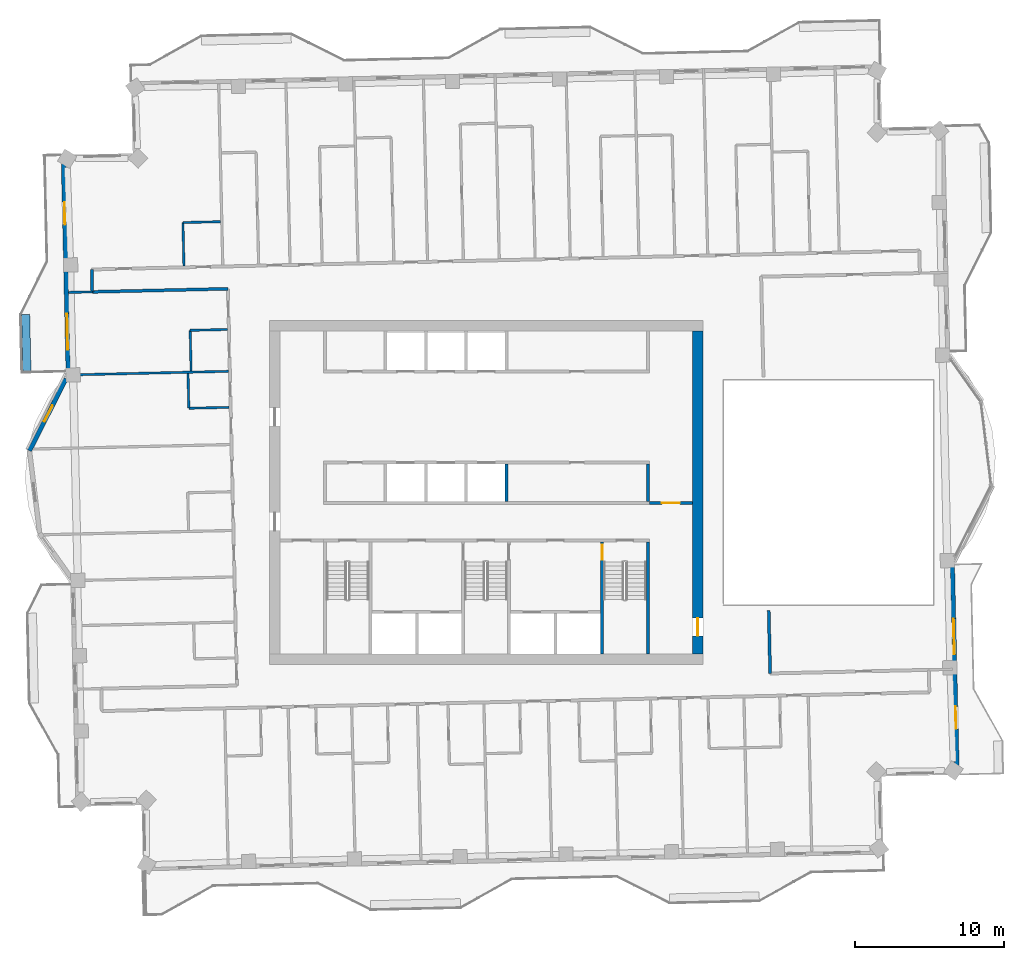
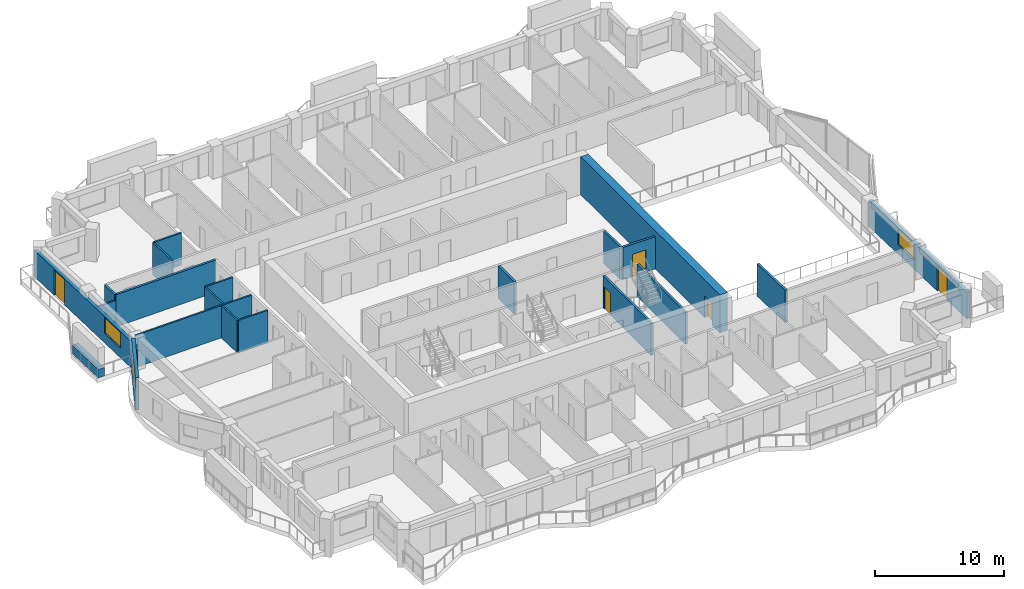
# One storey, part 12 of 20: 21 walls, 5 doors, 3 windows, 8 openings.
"""IFC4 building model written with IfcOpenShell, lengths in metres."""

from ifc_helpers import new_model, si_unit, direction, frame, frame_2d, origin, place, context, subcontext, project, spatial, rectangle, extrude, material, layer, layer_set, type_object, element, fill, save


model = new_model("IFC4")

# Units and contexts
model_context = context("Model", 3, precision=1e-05, world=origin(), true_north=direction((0.0, 1.0)))
body_context = subcontext(model_context, "Body", "Model", "MODEL_VIEW")
ifc_project = project(units=[si_unit("LENGTHUNIT", "METRE"), si_unit("AREAUNIT", "SQUARE_METRE"), si_unit("VOLUMEUNIT", "CUBIC_METRE"), si_unit("PLANEANGLEUNIT", "RADIAN"), si_unit("MASSUNIT", "GRAM", prefix="KILO")], contexts=[model_context])

# Site, building, storey
site_placement = place(None, origin())
site = spatial("IfcSite", under=ifc_project, at=site_placement, CompositionType="ELEMENT")
building_placement = place(site_placement, origin())
building = spatial("IfcBuilding", under=site, at=building_placement, Name="Mangrove Gate Tower", CompositionType="ELEMENT")
storey_placement = place(building_placement, frame((0.0, 0.0, 279.89990234375)))
storey = spatial("IfcBuildingStorey", under=building, at=storey_placement, Name="L71", CompositionType="ELEMENT", Elevation=279.89990234375)

# Wall, opening, door
ifc_material_1 = material(Name="Concrete C32/40", Category="concrete")
ifc_layer_1 = layer(ifc_material_1, 0.199951171875)
ifc_layer_set_1 = layer_set([ifc_layer_1], Name="Core lobby wall 200 C32/40")
wall_type_1 = type_object("IfcWallType", Name="Core lobby wall 200 C32/40", PredefinedType="STANDARD", material=ifc_layer_set_1)
wall_1_placement = place(storey_placement, frame((10.89990234375, -0.699951171875, 0.0), z_axis=(0.0, 0.0, 1.0), x_axis=(1.0, 0.0, 0.0)))
wall_1 = element("IfcWall", 1, at=wall_1_placement, inside=storey, type_object=wall_type_1, Name="WALL-L71-CORE-32", PredefinedType="STANDARD", context=body_context, shape_type="SweptSolid", body=[
    extrude(rectangle(XDim=2.900146484375, YDim=0.199951171875, at=frame_2d((1.4501953125, 0.0))), origin(), (0.0, 0.0, 1.0), 3.050048828125),
])
opening_1_placement = place(wall_1_placement, frame((0.85009765625, 0.0, 0.0)))
opening_1 = element("IfcOpeningElement", 2, at=opening_1_placement, cuts=wall_1, Name="Opening FL12", PredefinedType="OPENING", context=body_context, shape_type="SweptSolid", body=[
    extrude(rectangle(XDim=1.199951171875, YDim=2.10009765625, at=frame_2d((0.60009765625, 1.050048828125))), frame((0.0, 0.10986328125, 0.0), z_axis=(0.0, -1.0, 0.0), x_axis=(1.0, 0.0, 0.0)), (0.0, 0.0, 1.0), 0.219970703125),
])
ifc_material_2 = material(Name="Fire-rated steel door set", Category="steel")
door_type_1 = type_object("IfcDoorType", Name="Lobby door FD60 1200x2100", OperationType="SINGLE_SWING_LEFT", PredefinedType="DOOR", material=ifc_material_2)
door_1_placement = place(opening_1_placement, origin())
door_1 = element("IfcDoor", 3, at=door_1_placement, inside=storey, type_object=door_type_1, Name="Lobby door core corridor E partition", OperationType="SINGLE_SWING_LEFT", OverallHeight=2.10009765625, OverallWidth=1.199951171875, PredefinedType="DOOR", context=body_context, shape_type="SweptSolid", body=[
    extrude(rectangle(XDim=1.199951171875, YDim=2.10009765625, at=frame_2d((0.60009765625, 1.050048828125))), frame((0.0, 0.02490234375, 0.0), z_axis=(0.0, -1.0, 0.0), x_axis=(1.0, 0.0, 0.0)), (0.0, 0.0, 1.0), 0.050048828125),
])
fill(opening_1, door_1)

# Walls
ifc_material_3 = material(Name="Concrete C32/40", Category="concrete")
ifc_layer_2 = layer(ifc_material_3, 0.199951171875)
ifc_layer_set_2 = layer_set([ifc_layer_2], Name="Core room wall 200 C32/40")
wall_type_2 = type_object("IfcWallType", Name="Core room wall 200 C32/40", PredefinedType="STANDARD", material=ifc_layer_set_2)
wall_2_placement = place(storey_placement, frame((10.800048828125, -0.60009765625, 0.0), z_axis=(0.0, 0.0, 1.0), x_axis=(0.0, 1.0, 0.0)))
element("IfcWall", 4, at=wall_2_placement, inside=storey, type_object=wall_type_2, Name="WALL-L71-CORE-24", PredefinedType="STANDARD", context=body_context, shape_type="SweptSolid", body=[
    extrude(rectangle(XDim=2.5, YDim=0.199951171875, at=frame_2d((1.25, 0.0))), origin(), (0.0, 0.0, 1.0), 3.050048828125),
])
ifc_material_4 = material(Name="Concrete C50/60", Category="concrete")
ifc_layer_3 = layer(ifc_material_4, 0.199951171875)
ifc_layer_set_3 = layer_set([ifc_layer_3], Name="Core shaft wall 200 C50/60")
wall_type_3 = type_object("IfcWallType", Name="Core shaft wall 200 C50/60", PredefinedType="SHEAR", material=ifc_layer_set_3)
wall_3_placement = place(storey_placement, frame((1.35009765625, -0.60009765625, 0.0), z_axis=(0.0, 0.0, 1.0), x_axis=(0.0, 1.0, 0.0)))
element("IfcWall", 5, at=wall_3_placement, inside=storey, type_object=wall_type_3, Name="WALL-L71-CORE-23", PredefinedType="SHEAR", context=body_context, shape_type="SweptSolid", body=[
    extrude(rectangle(XDim=2.5, YDim=0.199951171875, at=frame_2d((1.25, 0.0))), origin(), (0.0, 0.0, 1.0), 3.050048828125),
])

# Wall, opening, door
ifc_material_5 = material(Name="Concrete C50/60", Category="concrete")
ifc_layer_4 = layer(ifc_material_5, 0.199951171875)
ifc_layer_set_4 = layer_set([ifc_layer_4], Name="Core stair wall 200 C50/60")
wall_type_4 = type_object("IfcWallType", Name="Core stair wall 200 C50/60", PredefinedType="SHEAR", material=ifc_layer_set_4)
wall_4_placement = place(storey_placement, frame((7.75, -10.800048828125, 0.0), z_axis=(0.0, 0.0, 1.0), x_axis=(0.0, 1.0, 0.0)))
wall_4 = element("IfcWall", 6, at=wall_4_placement, inside=storey, type_object=wall_type_4, Name="WALL-L71-CORE-13", PredefinedType="SHEAR", context=body_context, shape_type="SweptSolid", body=[
    extrude(rectangle(XDim=7.5, YDim=0.199951171875, at=frame_2d((3.75, 0.0))), origin(), (0.0, 0.0, 1.0), 3.050048828125),
])
opening_2_placement = place(wall_4_placement, frame((6.300048828125, 0.0, 0.0)))
opening_2 = element("IfcOpeningElement", 7, at=opening_2_placement, cuts=wall_4, Name="Opening STD10", PredefinedType="OPENING", context=body_context, shape_type="SweptSolid", body=[
    extrude(rectangle(XDim=1.0, YDim=2.10009765625, at=frame_2d((0.5, 1.050048828125))), frame((0.0, 0.10986328125, 0.0), z_axis=(0.0, -1.0, 0.0), x_axis=(1.0, 0.0, 0.0)), (0.0, 0.0, 1.0), 0.219970703125),
])
ifc_material_6 = material(Name="Fire-rated steel door set", Category="steel")
door_type_2 = type_object("IfcDoorType", Name="Stair door FD60 1000x2100", OperationType="SINGLE_SWING_RIGHT", PredefinedType="DOOR", material=ifc_material_6)
door_2_placement = place(opening_2_placement, origin())
door_2 = element("IfcDoor", 8, at=door_2_placement, inside=storey, type_object=door_type_2, Name="Stair door Stair 3 from fire-fighting lobby", OperationType="SINGLE_SWING_RIGHT", OverallHeight=2.10009765625, OverallWidth=1.0, PredefinedType="DOOR", context=body_context, shape_type="SweptSolid", body=[
    extrude(rectangle(XDim=1.0, YDim=2.10009765625, at=frame_2d((0.5, 1.050048828125))), frame((0.0, 0.02490234375, 0.0), z_axis=(0.0, -1.0, 0.0), x_axis=(1.0, 0.0, 0.0)), (0.0, 0.0, 1.0), 0.050048828125),
])
fill(opening_2, door_2)

# Wall
wall_5_placement = place(storey_placement, frame((10.800048828125, -10.800048828125, 0.0), z_axis=(0.0, 0.0, 1.0), x_axis=(0.0, 1.0, 0.0)))
element("IfcWall", 9, at=wall_5_placement, inside=storey, type_object=wall_type_4, Name="WALL-L71-CORE-14", PredefinedType="SHEAR", context=body_context, shape_type="SweptSolid", body=[
    extrude(rectangle(XDim=7.5, YDim=0.199951171875, at=frame_2d((3.75, 0.0))), origin(), (0.0, 0.0, 1.0), 3.050048828125),
])

# Wall, opening, door
ifc_material_7 = material(Name="Concrete C50/60", Category="concrete")
ifc_layer_5 = layer(ifc_material_7, 0.699951171875)
ifc_layer_set_5 = layer_set([ifc_layer_5], Name="Core wall 700 C50/60")
wall_type_5 = type_object("IfcWallType", Name="Core wall 700 C50/60", PredefinedType="SHEAR", material=ifc_layer_set_5)
wall_6_placement = place(storey_placement, frame((14.14990234375, -10.800048828125, 0.0), z_axis=(0.0, 0.0, 1.0), x_axis=(0.0, 1.0, 0.0)))
wall_6 = element("IfcWall", 10, at=wall_6_placement, inside=storey, type_object=wall_type_5, Name="WALL-L71-CORE-4", PredefinedType="SHEAR", context=body_context, shape_type="SweptSolid", body=[
    extrude(rectangle(XDim=21.60009765625, YDim=0.699951171875, at=frame_2d((10.800048828125, 0.0))), origin(), (0.0, 0.0, 1.0), 3.60009765625),
])
opening_3_placement = place(wall_6_placement, frame((1.199951171875, 0.0, 0.0)))
opening_3 = element("IfcOpeningElement", 11, at=opening_3_placement, cuts=wall_6, Name="Opening CD", PredefinedType="OPENING", context=body_context, shape_type="SweptSolid", body=[
    extrude(rectangle(XDim=1.199951171875, YDim=2.10009765625, at=frame_2d((0.60009765625, 1.050048828125))), frame((0.0, 0.35986328125, 0.0), z_axis=(0.0, -1.0, 0.0), x_axis=(1.0, 0.0, 0.0)), (0.0, 0.0, 1.0), 0.719970703125),
])
ifc_material_8 = material(Name="Fire-rated steel door set", Category="steel")
door_type_3 = type_object("IfcDoorType", Name="Core ring door FD60 1200x2100", OperationType="DOUBLE_DOOR_SINGLE_SWING", PredefinedType="DOOR", material=ifc_material_8)
door_3_placement = place(opening_3_placement, origin())
door_3 = element("IfcDoor", 12, at=door_3_placement, inside=storey, type_object=door_type_3, Name="Core ring door E1", OperationType="DOUBLE_DOOR_SINGLE_SWING", OverallHeight=2.10009765625, OverallWidth=1.199951171875, PredefinedType="DOOR", context=body_context, shape_type="SweptSolid", body=[
    extrude(rectangle(XDim=1.199951171875, YDim=2.10009765625, at=frame_2d((0.60009765625, 1.050048828125))), frame((0.0, 0.02490234375, 0.0), z_axis=(0.0, -1.0, 0.0), x_axis=(1.0, 0.0, 0.0)), (0.0, 0.0, 1.0), 0.050048828125),
])
fill(opening_3, door_3)

# Walls
ifc_material_9 = material(Name="Gypsum board on steel stud, EI 60", Category="steel")
ifc_layer_6 = layer(ifc_material_9, 0.199951171875)
ifc_layer_set_6 = layer_set([ifc_layer_6], Name="Corridor wall EI 60")
wall_type_6 = type_object("IfcWallType", Name="Corridor wall EI 60", PredefinedType="PARTITIONING", material=ifc_layer_set_6)
wall_7_placement = place(storey_placement, frame((18.987060546875, -12.10888671875, 0.0), z_axis=(0.0, 0.0, 1.0), x_axis=(-0.022807092041, 0.999739884446, 0.0)))
element("IfcWall", 13, at=wall_7_placement, inside=storey, type_object=wall_type_6, Name="WALL-L71-035", PredefinedType="PARTITIONING", context=body_context, shape_type="SweptSolid", body=[
    extrude(rectangle(XDim=4.206787109375, YDim=0.199951171875, at=frame_2d((2.103515625, 0.0))), origin(), (0.0, 0.0, 1.0), 3.050048828125),
])
wall_8_placement = place(storey_placement, frame((-26.366943359375, 13.4189453125, 0.0), z_axis=(0.0, 0.0, 1.0), x_axis=(0.999742888587, 0.022675024131, 0.0)))
element("IfcWall", 14, at=wall_8_placement, inside=storey, type_object=wall_type_6, Name="WALL-L71-052", PredefinedType="PARTITIONING", context=body_context, shape_type="SweptSolid", body=[
    extrude(rectangle(XDim=9.08740234375, YDim=0.199951171875, at=frame_2d((4.543701171875, 0.0))), origin(), (0.0, 0.0, 1.0), 3.050048828125),
])
wall_9_placement = place(storey_placement, frame((-26.364013671875, 13.4189453125, 0.0), z_axis=(0.0, 0.0, 1.0), x_axis=(-0.022632637625, 0.99974384905, 0.0)))
element("IfcWall", 15, at=wall_9_placement, inside=storey, type_object=wall_type_6, Name="WALL-L71-053", PredefinedType="PARTITIONING", context=body_context, shape_type="SweptSolid", body=[
    extrude(rectangle(XDim=1.49951171875, YDim=0.199951171875, at=frame_2d((0.749755859375, 0.0))), origin(), (0.0, 0.0, 1.0), 3.050048828125),
])

# Wall, openings, door, window
ifc_material_10 = material(Name="Limestone", Category="masonry")
ifc_layer_7 = layer(ifc_material_10, 0.0400390625, Name="Limestone cladding")
ifc_material_11 = material(Name="Ventilated air gap")
ifc_layer_8 = layer(ifc_material_11, 0.0400390625, Name="Ventilated cavity")
ifc_material_12 = material(Name="Mineral wool insulation")
ifc_layer_9 = layer(ifc_material_12, 0.06005859375, Name="Insulation")
ifc_material_13 = material(Name="Breather membrane")
ifc_layer_10 = layer(ifc_material_13, 0.001953125, Name="Breather membrane")
ifc_material_14 = material(Name="Concrete C20/25 blockwork", Category="masonry")
ifc_layer_11 = layer(ifc_material_14, 0.14990234375, Name="Blockwork backing wall")
ifc_material_15 = material(Name="Gypsum plaster")
ifc_layer_12 = layer(ifc_material_15, 0.008056640625, Name="Internal plaster")
ifc_layer_set_7 = layer_set([ifc_layer_7, ifc_layer_8, ifc_layer_9, ifc_layer_10, ifc_layer_11, ifc_layer_12], Name="External wall 300 limestone cladding")
wall_type_7 = type_object("IfcWallType", Name="External wall 300 limestone cladding", PredefinedType="SOLIDWALL", material=ifc_layer_set_7)
wall_10_placement = place(storey_placement, frame((31.488037109375, -18.72705078125, 0.0), z_axis=(0.0, 0.0, 1.0), x_axis=(-0.022666132143, 0.999743090226, 0.0)))
wall_10 = element("IfcWall", 16, at=wall_10_placement, inside=storey, type_object=wall_type_7, Name="WALL-L71-E0s1", PredefinedType="SOLIDWALL", context=body_context, shape_type="SweptSolid", body=[
    extrude(rectangle(XDim=14.648681640625, YDim=0.300048828125, at=frame_2d((7.32421875, 0.0))), origin(), (0.0, 0.0, 1.0), 2.5),
])
opening_4_placement = place(wall_10_placement, frame((2.9150390625, 0.0, 0.0)))
opening_4 = element("IfcOpeningElement", 17, at=opening_4_placement, cuts=wall_10, Name="Opening BD1", PredefinedType="OPENING", context=body_context, shape_type="SweptSolid", body=[
    extrude(rectangle(XDim=1.5, YDim=2.39990234375, at=frame_2d((0.75, 1.199951171875))), frame((0.0, 0.159912109375, 0.0), z_axis=(0.0, -1.0, 0.0), x_axis=(1.0, 0.0, 0.0)), (0.0, 0.0, 1.0), 0.320068359375),
])
opening_5_placement = place(wall_10_placement, frame((7.89501953125, 0.0, 0.89990234375)))
opening_5 = element("IfcOpeningElement", 18, at=opening_5_placement, cuts=wall_10, Name="Opening W2", PredefinedType="OPENING", context=body_context, shape_type="SweptSolid", body=[
    extrude(rectangle(XDim=2.39990234375, YDim=1.5, at=frame_2d((1.199951171875, 0.75))), frame((0.0, 0.159912109375, 0.0), z_axis=(0.0, -1.0, 0.0), x_axis=(1.0, 0.0, 0.0)), (0.0, 0.0, 1.0), 0.320068359375),
])
ifc_material_16 = material(Name="Aluminium frame with laminated clear glass", Category="aluminium")
door_type_4 = type_object("IfcDoorType", Name="Balcony sliding door 1500x2400", OperationType="SLIDING_TO_LEFT", PredefinedType="DOOR", material=ifc_material_16)
door_4_placement = place(opening_4_placement, origin())
door_4 = element("IfcDoor", 19, at=door_4_placement, inside=storey, type_object=door_type_4, Name="DOOR-L71-E0-1", OperationType="SLIDING_TO_LEFT", OverallHeight=2.39990234375, OverallWidth=1.5, PredefinedType="DOOR", context=body_context, shape_type="SweptSolid", body=[
    extrude(rectangle(XDim=1.5, YDim=2.39990234375, at=frame_2d((0.75, 1.199951171875))), frame((0.0, 0.02490234375, 0.0), z_axis=(0.0, -1.0, 0.0), x_axis=(1.0, 0.0, 0.0)), (0.0, 0.0, 1.0), 0.050048828125),
])
fill(opening_4, door_4)
ifc_material_17 = material(Name="Aluminium frame with double-glazed low-e glass", Category="aluminium")
window_type_1 = type_object("IfcWindowType", Name="Corner room window 2400x1500", PartitioningType="DOUBLE_PANEL_VERTICAL", PredefinedType="WINDOW", material=ifc_material_17)
window_1_placement = place(opening_5_placement, origin())
window_1 = element("IfcWindow", 20, at=window_1_placement, inside=storey, type_object=window_type_1, Name="WIN-L71-E0-2", OverallHeight=1.5, OverallWidth=2.39990234375, PartitioningType="DOUBLE_PANEL_VERTICAL", PredefinedType="WINDOW", context=body_context, shape_type="SweptSolid", body=[
    extrude(rectangle(XDim=2.39990234375, YDim=1.5, at=frame_2d((1.199951171875, 0.75))), frame((0.0, 0.030029296875, 0.0), z_axis=(0.0, -1.0, 0.0), x_axis=(1.0, 0.0, 0.0)), (0.0, 0.0, 1.0), 0.06005859375),
])
fill(opening_5, window_1)

wall_11_placement = place(storey_placement, frame((-28.297119140625, 22.427001953125, 0.0), z_axis=(0.0, 0.0, 1.0), x_axis=(0.022663916124, -0.999743140465, 0.0)))
wall_11 = element("IfcWall", 21, at=wall_11_placement, inside=storey, type_object=wall_type_7, Name="WALL-L71-W8s1", PredefinedType="SOLIDWALL", context=body_context, shape_type="SweptSolid", body=[
    extrude(rectangle(XDim=15.048828125, YDim=0.300048828125, at=frame_2d((7.5244140625, 0.0))), origin(), (0.0, 0.0, 1.0), 2.5),
])
opening_6_placement = place(wall_11_placement, frame((3.001953125, 0.0, 0.0)))
opening_6 = element("IfcOpeningElement", 22, at=opening_6_placement, cuts=wall_11, Name="Opening BD1", PredefinedType="OPENING", context=body_context, shape_type="SweptSolid", body=[
    extrude(rectangle(XDim=1.5, YDim=2.39990234375, at=frame_2d((0.75, 1.199951171875))), frame((0.0, 0.159912109375, 0.0), z_axis=(0.0, -1.0, 0.0), x_axis=(1.0, 0.0, 0.0)), (0.0, 0.0, 1.0), 0.320068359375),
])
opening_7_placement = place(wall_11_placement, frame((10.47509765625, 0.0, 0.89990234375)))
opening_7 = element("IfcOpeningElement", 23, at=opening_7_placement, cuts=wall_11, Name="Opening W2", PredefinedType="OPENING", context=body_context, shape_type="SweptSolid", body=[
    extrude(rectangle(XDim=2.39990234375, YDim=1.5, at=frame_2d((1.199951171875, 0.75))), frame((0.0, 0.159912109375, 0.0), z_axis=(0.0, -1.0, 0.0), x_axis=(1.0, 0.0, 0.0)), (0.0, 0.0, 1.0), 0.320068359375),
])
door_5_placement = place(opening_6_placement, origin())
door_5 = element("IfcDoor", 24, at=door_5_placement, inside=storey, type_object=door_type_4, Name="DOOR-L71-W8-1", OperationType="SLIDING_TO_LEFT", OverallHeight=2.39990234375, OverallWidth=1.5, PredefinedType="DOOR", context=body_context, shape_type="SweptSolid", body=[
    extrude(rectangle(XDim=1.5, YDim=2.39990234375, at=frame_2d((0.75, 1.199951171875))), frame((0.0, 0.02490234375, 0.0), z_axis=(0.0, -1.0, 0.0), x_axis=(1.0, 0.0, 0.0)), (0.0, 0.0, 1.0), 0.050048828125),
])
fill(opening_6, door_5)
window_2_placement = place(opening_7_placement, origin())
window_2 = element("IfcWindow", 25, at=window_2_placement, inside=storey, type_object=window_type_1, Name="WIN-L71-W8-2", OverallHeight=1.5, OverallWidth=2.39990234375, PartitioningType="DOUBLE_PANEL_VERTICAL", PredefinedType="WINDOW", context=body_context, shape_type="SweptSolid", body=[
    extrude(rectangle(XDim=2.39990234375, YDim=1.5, at=frame_2d((1.199951171875, 0.75))), frame((0.0, 0.030029296875, 0.0), z_axis=(0.0, -1.0, 0.0), x_axis=(1.0, 0.0, 0.0)), (0.0, 0.0, 1.0), 0.06005859375),
])
fill(opening_7, window_2)

# Wall, opening, window
wall_12_placement = place(storey_placement, frame((-28.1201171875, 7.60791015625, 0.0), z_axis=(0.0, 0.0, 1.0), x_axis=(-0.45266802131, -0.891679125293, 0.0)))
wall_12 = element("IfcWall", 26, at=wall_12_placement, inside=storey, type_object=wall_type_7, Name="WALL-L71-W9f1", PredefinedType="SOLIDWALL", context=body_context, shape_type="SweptSolid", body=[
    extrude(rectangle(XDim=5.398681640625, YDim=0.300048828125, at=frame_2d((2.69921875, 0.0))), origin(), (0.0, 0.0, 1.0), 3.050048828125),
])
opening_8_placement = place(wall_12_placement, frame((2.008056640625, 0.0, 0.89990234375)))
opening_8 = element("IfcOpeningElement", 27, at=opening_8_placement, cuts=wall_12, Name="Opening W1", PredefinedType="OPENING", context=body_context, shape_type="SweptSolid", body=[
    extrude(rectangle(XDim=1.199951171875, YDim=1.5, at=frame_2d((0.60009765625, 0.75))), frame((0.0, 0.159912109375, 0.0), z_axis=(0.0, -1.0, 0.0), x_axis=(1.0, 0.0, 0.0)), (0.0, 0.0, 1.0), 0.320068359375),
])
ifc_material_18 = material(Name="Aluminium frame with double-glazed low-e glass", Category="aluminium")
window_type_2 = type_object("IfcWindowType", Name="Side lite 1200x1500", PartitioningType="SINGLE_PANEL", PredefinedType="WINDOW", material=ifc_material_18)
window_3_placement = place(opening_8_placement, origin())
window_3 = element("IfcWindow", 28, at=window_3_placement, inside=storey, type_object=window_type_2, Name="WIN-L71-W9f1", OverallHeight=1.5, OverallWidth=1.199951171875, PartitioningType="SINGLE_PANEL", PredefinedType="WINDOW", context=body_context, shape_type="SweptSolid", body=[
    extrude(rectangle(XDim=1.199951171875, YDim=1.5, at=frame_2d((0.60009765625, 0.75))), frame((0.0, 0.030029296875, 0.0), z_axis=(0.0, -1.0, 0.0), x_axis=(1.0, 0.0, 0.0)), (0.0, 0.0, 1.0), 0.06005859375),
])
fill(opening_8, window_3)

# Walls
ifc_material_19 = material(Name="Gypsum board on steel stud, EI 60", Category="steel")
ifc_layer_13 = layer(ifc_material_19, 0.14990234375)
ifc_layer_set_8 = layer_set([ifc_layer_13], Name="Party wall 150 EI 60")
wall_type_8 = type_object("IfcWallType", Name="Party wall 150 EI 60", PredefinedType="PARTITIONING", material=ifc_layer_set_8)
wall_13_placement = place(storey_placement, frame((-19.90087890625, 5.633056640625, 0.0), z_axis=(0.0, 0.0, 1.0), x_axis=(0.999744396973, 0.02260842146, 0.0)))
element("IfcWall", 29, at=wall_13_placement, inside=storey, type_object=wall_type_8, Name="WALL-L71-045", PredefinedType="PARTITIONING", context=body_context, shape_type="SweptSolid", body=[
    extrude(rectangle(XDim=2.69970703125, YDim=0.14990234375, at=frame_2d((1.349853515625, 0.0))), origin(), (0.0, 0.0, 1.0), 3.050048828125),
])
wall_14_placement = place(storey_placement, frame((-19.906005859375, 5.637939453125, 0.0), z_axis=(0.0, 0.0, 1.0), x_axis=(-0.022781023197, 0.999740478815, 0.0)))
element("IfcWall", 30, at=wall_14_placement, inside=storey, type_object=wall_type_8, Name="WALL-L71-046", PredefinedType="PARTITIONING", context=body_context, shape_type="SweptSolid", body=[
    extrude(rectangle(XDim=2.325439453125, YDim=0.14990234375, at=frame_2d((1.16259765625, 0.0))), origin(), (0.0, 0.0, 1.0), 3.050048828125),
])
wall_15_placement = place(storey_placement, frame((-19.751953125, 8.116943359375, 0.0), z_axis=(0.0, 0.0, 1.0), x_axis=(-0.022749889061, 0.999741187782, 0.0)))
element("IfcWall", 31, at=wall_15_placement, inside=storey, type_object=wall_type_8, Name="WALL-L71-048", PredefinedType="PARTITIONING", context=body_context, shape_type="SweptSolid", body=[
    extrude(rectangle(XDim=2.725830078125, YDim=0.14990234375, at=frame_2d((1.36279296875, 0.0))), origin(), (0.0, 0.0, 1.0), 3.050048828125),
])
wall_16_placement = place(storey_placement, frame((-27.81689453125, 7.864013671875, 0.0), z_axis=(0.0, 0.0, 1.0), x_axis=(0.9997418952, 0.022718780382, 0.0)))
element("IfcWall", 32, at=wall_16_placement, inside=storey, type_object=wall_type_8, Name="WALL-L71-049", PredefinedType="PARTITIONING", context=body_context, shape_type="SweptSolid", body=[
    extrude(rectangle(XDim=10.5634765625, YDim=0.14990234375, at=frame_2d((5.28173828125, 0.0))), origin(), (0.0, 0.0, 1.0), 3.050048828125),
])
wall_17_placement = place(storey_placement, frame((-19.819091796875, 10.845947265625, 0.0), z_axis=(0.0, 0.0, 1.0), x_axis=(0.999738801317, 0.022854521249, 0.0)))
element("IfcWall", 33, at=wall_17_placement, inside=storey, type_object=wall_type_8, Name="WALL-L71-050", PredefinedType="PARTITIONING", context=body_context, shape_type="SweptSolid", body=[
    extrude(rectangle(XDim=2.499755859375, YDim=0.14990234375, at=frame_2d((1.25, 0.0))), origin(), (0.0, 0.0, 1.0), 3.050048828125),
])
wall_18_placement = place(storey_placement, frame((-27.94189453125, 13.383056640625, 0.0), z_axis=(0.0, 0.0, 1.0), x_axis=(0.999741755729, 0.022724916977, 0.0)))
element("IfcWall", 34, at=wall_18_placement, inside=storey, type_object=wall_type_8, Name="WALL-L71-051", PredefinedType="PARTITIONING", context=body_context, shape_type="SweptSolid", body=[
    extrude(rectangle(XDim=1.579345703125, YDim=0.14990234375, at=frame_2d((0.78955078125, 0.0))), origin(), (0.0, 0.0, 1.0), 2.5),
])
wall_19_placement = place(storey_placement, frame((-20.23193359375, 15.157958984375, 0.0), z_axis=(0.0, 0.0, 1.0), x_axis=(-0.022817032779, 0.999739657619, 0.0)))
element("IfcWall", 35, at=wall_19_placement, inside=storey, type_object=wall_type_8, Name="WALL-L71-058", PredefinedType="PARTITIONING", context=body_context, shape_type="SweptSolid", body=[
    extrude(rectangle(XDim=2.899658203125, YDim=0.14990234375, at=frame_2d((1.44970703125, 0.0))), origin(), (0.0, 0.0, 1.0), 3.050048828125),
])
wall_20_placement = place(storey_placement, frame((-20.2958984375, 18.056884765625, 0.0), z_axis=(0.0, 0.0, 1.0), x_axis=(0.999735102249, 0.023015762656, 0.0)))
element("IfcWall", 36, at=wall_20_placement, inside=storey, type_object=wall_type_8, Name="WALL-L71-078", PredefinedType="PARTITIONING", context=body_context, shape_type="SweptSolid", body=[
    extrude(rectangle(XDim=2.524658203125, YDim=0.14990234375, at=frame_2d((1.26220703125, 0.0))), origin(), (0.0, 0.0, 1.0), 3.050048828125),
])
ifc_material_20 = material(Name="Concrete C32/40", Category="concrete")
ifc_layer_14 = layer(ifc_material_20, 0.199951171875, Name="Planter trough wall")
ifc_material_21 = material(Name="Bituminous waterproofing membrane")
ifc_layer_15 = layer(ifc_material_21, 0.0048828125, Name="Waterproofing")
ifc_material_22 = material(Name="Drainage board and gravel")
ifc_layer_16 = layer(ifc_material_22, 0.044921875, Name="Drainage layer")
ifc_material_23 = material(Name="Planting soil")
ifc_layer_17 = layer(ifc_material_23, 0.300048828125, Name="Growing medium")
ifc_layer_set_9 = layer_set([ifc_layer_14, ifc_layer_15, ifc_layer_16, ifc_layer_17], Name="Planter wall 550 C32/40")
wall_type_9 = type_object("IfcWallType", Name="Planter wall 550 C32/40", PredefinedType="USERDEFINED", material=ifc_layer_set_9)
wall_21_placement = place(storey_placement, frame((-30.736083984375, 8.04296875, 0.0), z_axis=(0.0, 0.0, 1.0), x_axis=(-0.022681332769, 0.999742745482, 0.0)))
element("IfcWall", 37, at=wall_21_placement, inside=storey, type_object=wall_type_9, Name="PLANTER L71 W0.1", ObjectType="PLANTER", PredefinedType="USERDEFINED", context=body_context, shape_type="SweptSolid", body=[
    extrude(rectangle(XDim=3.875, YDim=0.550048828125, at=frame_2d((1.9375, 0.0))), origin(), (0.0, 0.0, 1.0), 0.800048828125),
])

save(model, "model.ifc")
